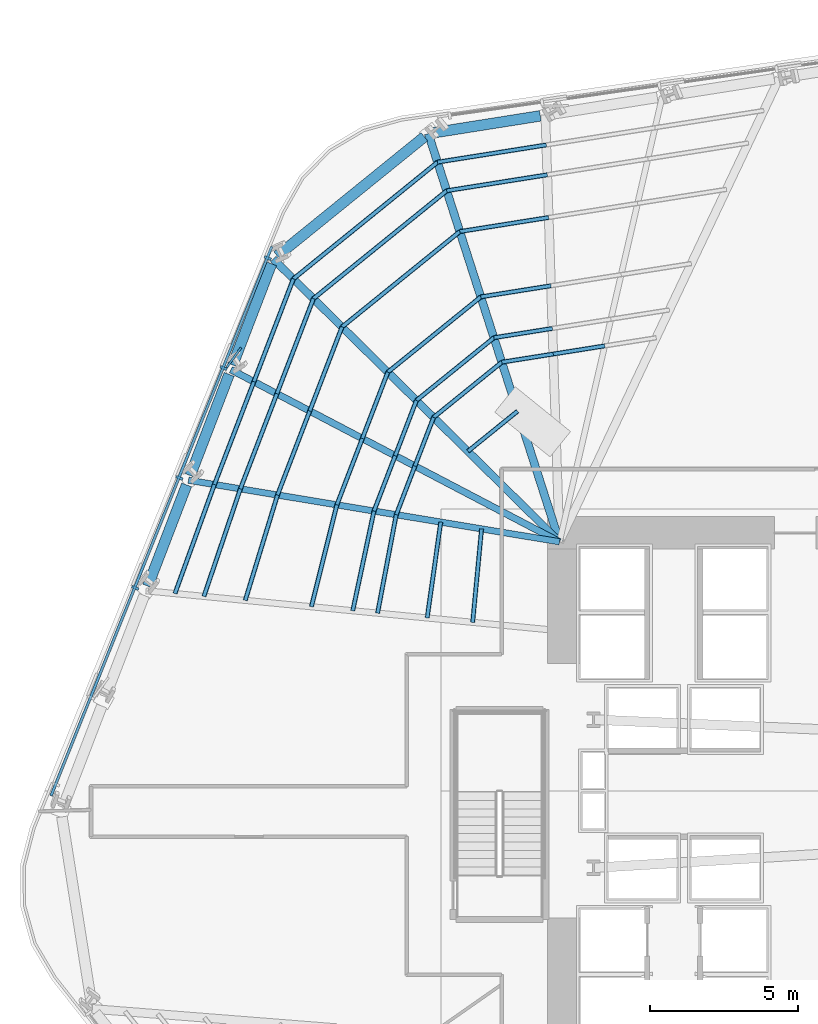
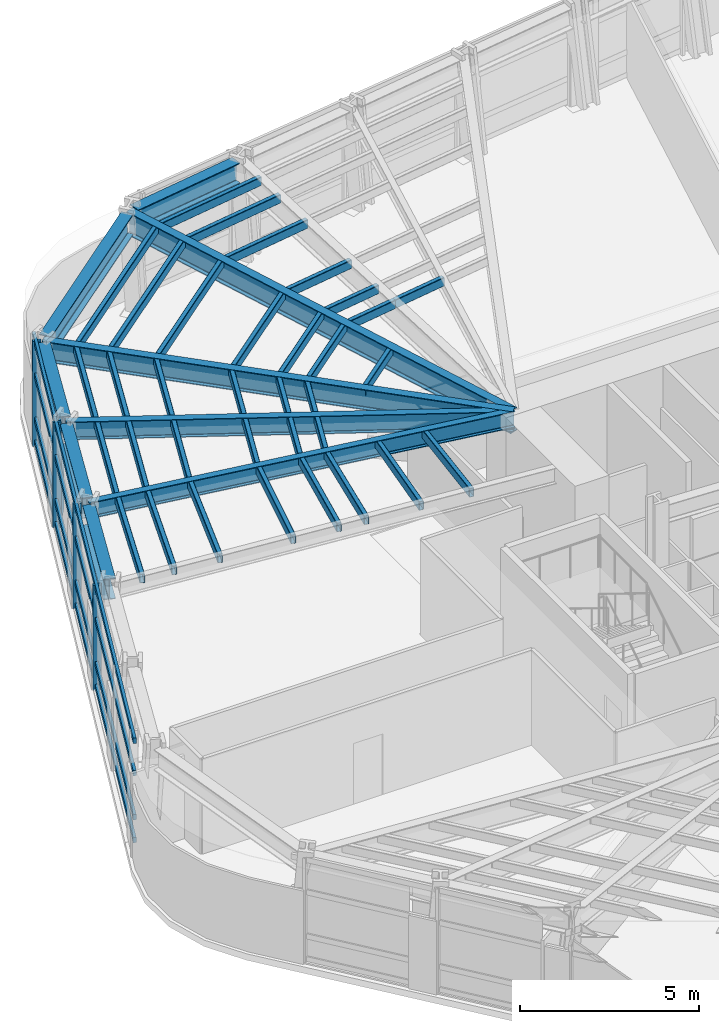
# One storey, part 5 of 16: 43 members, 9 beams, 1 element without a shape of its own.
"""IFC4 building model written with IfcOpenShell, lengths in metres."""

from ifc_helpers import new_model, si_unit, direction, frame, origin, origin_2d, place, context, subcontext, project, spatial, rectangle, hollow_rectangle, i_section, extrude, material, layer, layer_set, material_profile, profile_set, type_object, element, aggregate, save


model = new_model("IFC4")

# Units and contexts
model_context = context("Model", 3, precision=1e-05, world=origin(), true_north=direction((0.0, 1.0)))
body_context = subcontext(model_context, "Body", "Model", "MODEL_VIEW")
ifc_project = project(units=[si_unit("LENGTHUNIT", "METRE"), si_unit("AREAUNIT", "SQUARE_METRE"), si_unit("VOLUMEUNIT", "CUBIC_METRE"), si_unit("PLANEANGLEUNIT", "RADIAN"), si_unit("MASSUNIT", "GRAM", prefix="KILO")], contexts=[model_context])

# Site, building, storey
site_placement = place(None, origin())
site = spatial("IfcSite", under=ifc_project, at=site_placement, CompositionType="ELEMENT")
building_placement = place(site_placement, origin())
building = spatial("IfcBuilding", under=site, at=building_placement, Name="Valkerne Bourse Tower", CompositionType="ELEMENT")
storey_placement = place(building_placement, frame((0.0, 0.0, 58.199951171875)))
storey = spatial("IfcBuildingStorey", under=building, at=storey_placement, Name="L14", CompositionType="ELEMENT", Elevation=58.199951171875)

# Beams
ifc_material_1 = material(Name="Steel ASTM A992", Category="steel")
ifc_material_profile_1 = material_profile(ifc_material_1, i_section(OverallWidth=0.2138671875, OverallDepth=0.548583984375, WebThickness=0.0146484375, FlangeThickness=0.023681640625, FilletRadius=0.017822265625, at=origin_2d()), Name="W21X93")
ifc_profile_set_1 = profile_set([ifc_material_profile_1], Name="Steel ASTM A992")
beam_type_1 = type_object("IfcBeamType", Name="BM-W21X93", PredefinedType="BEAM", material=ifc_profile_set_1)
beam_1_placement = place(storey_placement, frame((25.080078125, 37.477783203125, 3.3056640625), z_axis=(0.986505995512, -0.163725138017, 0.0), x_axis=(0.163725138017, 0.986505995512, 0.0)))
element("IfcBeam", 1, at=beam_1_placement, inside=storey, type_object=beam_type_1, Name="L14 Radial Composite Floor Beam 14", PredefinedType="BEAM", context=body_context, shape_type="SweptSolid", body=[
    extrude(i_section(OverallWidth=0.2138671875, OverallDepth=0.548583984375, WebThickness=0.0146484375, FlangeThickness=0.023681640625, FilletRadius=0.017822265625, at=origin_2d()), origin(), (0.0, 0.0, 1.0), 12.691162109375),
])
ifc_material_profile_2 = material_profile(ifc_material_1, i_section(OverallWidth=0.228271484375, OverallDepth=0.607177734375, WebThickness=0.01123046875, FlangeThickness=0.017333984375, FilletRadius=0.017822265625, at=origin_2d()), Name="W24X76")
ifc_profile_set_2 = profile_set([ifc_material_profile_2], Name="Steel ASTM A992")
beam_type_2 = type_object("IfcBeamType", Name="BM-W24X76", PredefinedType="JOIST", material=ifc_profile_set_2)
beam_2_placement = place(storey_placement, frame((26.51220703125, 41.208251953125, 3.2763671875), z_axis=(0.885818173262, -0.464032503084, 0.0), x_axis=(0.464032503084, 0.885818173262, 0.0)))
element("IfcBeam", 2, at=beam_2_placement, inside=storey, type_object=beam_type_2, Name="L14 Radial Composite Floor Beam 13", PredefinedType="JOIST", context=body_context, shape_type="SweptSolid", body=[
    extrude(i_section(OverallWidth=0.228271484375, OverallDepth=0.607177734375, WebThickness=0.01123046875, FlangeThickness=0.017333984375, FilletRadius=0.017822265625, at=origin_2d()), origin(), (0.0, 0.0, 1.0), 12.51708984375),
])
ifc_material_profile_3 = material_profile(ifc_material_1, i_section(OverallWidth=0.255859375, OverallDepth=0.693359375, WebThickness=0.014404296875, FlangeThickness=0.023681640625, FilletRadius=0.02294921875, at=origin_2d()), Name="W27X114")
ifc_profile_set_3 = profile_set([ifc_material_profile_3], Name="Steel ASTM A992")
beam_type_3 = type_object("IfcBeamType", Name="BM-W27X114", PredefinedType="BEAM", material=ifc_profile_set_3)
beam_3_placement = place(storey_placement, frame((27.944091796875, 44.938720703125, 3.2333984375), z_axis=(0.711410524139, -0.702776682983, 0.0), x_axis=(0.702776682983, 0.711410524139, 0.0)))
element("IfcBeam", 3, at=beam_3_placement, inside=storey, type_object=beam_type_3, Name="L14 Radial Composite Floor Beam 12", PredefinedType="BEAM", context=body_context, shape_type="SweptSolid", body=[
    extrude(i_section(OverallWidth=0.255859375, OverallDepth=0.693359375, WebThickness=0.014404296875, FlangeThickness=0.023681640625, FilletRadius=0.02294921875, at=origin_2d()), origin(), (0.0, 0.0, 1.0), 13.572998046875),
])
ifc_material_profile_4 = material_profile(ifc_material_1, i_section(OverallWidth=0.358154296875, OverallDepth=0.7060546875, WebThickness=0.018310546875, FlangeThickness=0.0302734375, FilletRadius=0.02294921875, at=origin_2d()), Name="W27X178")
ifc_profile_set_4 = profile_set([ifc_material_profile_4], Name="Steel ASTM A992")
beam_type_4 = type_object("IfcBeamType", Name="BM-W27X178", PredefinedType="SPANDREL", material=ifc_profile_set_4)
beam_4_placement = place(storey_placement, frame((36.952392578125, 49.772216796875, 3.22705078125), z_axis=(-0.987684876333, -0.156456335964, 0.0), x_axis=(0.156456335964, -0.987684876333, 0.0)))
element("IfcBeam", 4, at=beam_4_placement, inside=storey, type_object=beam_type_4, Name="L14 Hexagonal Spandrel Ring Beam 10", PredefinedType="SPANDREL", context=body_context, shape_type="SweptSolid", body=[
    extrude(i_section(OverallWidth=0.358154296875, OverallDepth=0.7060546875, WebThickness=0.018310546875, FlangeThickness=0.0302734375, FilletRadius=0.02294921875, at=origin_2d()), origin(), (0.0, 0.0, 1.0), 3.656005859375),
])
beam_5_placement = place(storey_placement, frame((33.04150390625, 49.06640625, 3.22705078125), z_axis=(-0.777171894739, -0.629288364764, 0.0), x_axis=(0.629288364764, -0.777171894739, 0.0)))
element("IfcBeam", 5, at=beam_5_placement, inside=storey, type_object=beam_type_4, Name="L14 Hexagonal Spandrel Ring Beam 11", PredefinedType="SPANDREL", context=body_context, shape_type="SweptSolid", body=[
    extrude(i_section(OverallWidth=0.358154296875, OverallDepth=0.7060546875, WebThickness=0.018310546875, FlangeThickness=0.0302734375, FilletRadius=0.02294921875, at=origin_2d()), origin(), (0.0, 0.0, 1.0), 6.388916015625),
])
for number, where, z_axis, x_axis, name in (
    (6, (27.88330078125, 44.780029296875, 3.22705078125), (-0.358401752781, -0.933567449949, 0.0), (0.933567449949, -0.358401752781, 0.0), "L14 Hexagonal Spandrel Ring Beam 12"),
    (7, (26.451171875, 41.049560546875, 3.22705078125), (-0.358401752781, -0.933567449949, 0.0), (0.933567449949, -0.358401752781, 0.0), "L14 Hexagonal Spandrel Ring Beam 13"),
    (8, (25.01904296875, 37.319091796875, 3.22705078125), (-0.358321209948, -0.933598366805, 0.0), (0.933598366805, -0.358321209948, 0.0), "L14 Hexagonal Spandrel Ring Beam 14"),
):
    element("IfcBeam", number, at=place(storey_placement, frame(where, z_axis=z_axis, x_axis=x_axis)), inside=storey, type_object=beam_type_4, Name=name, PredefinedType="SPANDREL", context=body_context, shape_type="SweptSolid", body=[
        extrude(i_section(OverallWidth=0.358154296875, OverallDepth=0.7060546875, WebThickness=0.018310546875, FlangeThickness=0.0302734375, FilletRadius=0.02294921875, at=origin_2d()), origin(), (0.0, 0.0, 1.0), 3.656005859375),
    ])
ifc_material_profile_5 = material_profile(ifc_material_1, i_section(OverallWidth=0.26806640625, OverallDepth=0.76953125, WebThickness=0.015625, FlangeThickness=0.025390625, FilletRadius=0.025390625, at=origin_2d()), Name="W30X132")
ifc_profile_set_5 = profile_set([ifc_material_profile_5], Name="Steel ASTM A992")
beam_type_5 = type_object("IfcBeamType", Name="BM-W30X132", PredefinedType="BEAM", material=ifc_profile_set_5)
beam_6_placement = place(storey_placement, frame((33.173583984375, 49.173583984375, 3.1953125), z_axis=(0.305962749091, -0.95204348439, 0.0), x_axis=(0.95204348439, 0.305962749091, 0.0)))
element("IfcBeam", 9, at=beam_6_placement, inside=storey, type_object=beam_type_5, Name="L14 Radial Composite Floor Beam 11", PredefinedType="BEAM", context=body_context, shape_type="SweptSolid", body=[
    extrude(i_section(OverallWidth=0.26806640625, OverallDepth=0.76953125, WebThickness=0.015625, FlangeThickness=0.025390625, FilletRadius=0.025390625, at=origin_2d()), origin(), (0.0, 0.0, 1.0), 14.467529296875),
])

# Curtain wall, members
ifc_material_2 = material(Name="Aluminium AA 6063-T6", Category="aluminium")
ifc_layer = layer(ifc_material_2, 0.22509765625)
ifc_layer_set = layer_set([ifc_layer], Name="Aluminium AA 6063-T6")
curtain_wall_type = type_object("IfcCurtainWallType", Name="CW-01", PredefinedType="NOTDEFINED", material=ifc_layer_set)
curtain_wall_placement = place(storey_placement, origin())
curtain_wall = element("IfcCurtainWall", 10, at=curtain_wall_placement, inside=storey, type_object=curtain_wall_type, Name="L14 Hexagonal Stick Curtain Wall Face 3", PredefinedType="NOTDEFINED")
ifc_material_profile_6 = material_profile(ifc_material_2, rectangle(XDim=0.090087890625, YDim=0.239990234375, at=origin_2d()), Name="CWM-90X240")
ifc_profile_set_6 = profile_set([ifc_material_profile_6], Name="Aluminium AA 6063-T6")
member_type_1 = type_object("IfcMemberType", Name="CW-MUL-240X90", PredefinedType="MULLION", material=ifc_profile_set_6)
member_1_placement = place(storey_placement, frame((27.756103515625, 44.969970703125, 0.0), z_axis=(0.0, 0.0, 1.0), x_axis=(-0.372999492864, -0.927831546307, 0.0)))
member_1 = element("IfcMember", 11, at=member_1_placement, type_object=member_type_1, Name="CW-L14-F3 Jamb Mullion 00A", PredefinedType="MULLION", context=body_context, shape_type="SweptSolid", body=[
    extrude(rectangle(XDim=0.090087890625, YDim=0.239990234375, at=origin_2d()), origin(), (0.0, 0.0, 1.0), 3.580078125),
])
member_2_placement = place(storey_placement, frame((26.265625, 41.26220703125, 0.0), z_axis=(0.0, 0.0, 1.0), x_axis=(-0.372969288958, -0.927843688071, 0.0)))
member_2 = element("IfcMember", 12, at=member_2_placement, type_object=member_type_1, Name="CW-L14-F3 Jamb Mullion 01A", PredefinedType="MULLION", context=body_context, shape_type="SweptSolid", body=[
    extrude(rectangle(XDim=0.090087890625, YDim=0.239990234375, at=origin_2d()), origin(), (0.0, 0.0, 1.0), 3.580078125),
])
member_3_placement = place(storey_placement, frame((24.775146484375, 37.5546875, 0.0), z_axis=(0.0, 0.0, 1.0), x_axis=(-0.372999492864, -0.927831546307, 0.0)))
member_3 = element("IfcMember", 13, at=member_3_placement, type_object=member_type_1, Name="CW-L14-F3 Jamb Mullion 02A", PredefinedType="MULLION", context=body_context, shape_type="SweptSolid", body=[
    extrude(rectangle(XDim=0.090087890625, YDim=0.239990234375, at=origin_2d()), origin(), (0.0, 0.0, 1.0), 3.580078125),
])
member_4_placement = place(storey_placement, frame((23.28466796875, 33.846923828125, 0.0), z_axis=(0.0, 0.0, 1.0), x_axis=(-0.372977949163, -0.927840206845, 0.0)))
member_4 = element("IfcMember", 14, at=member_4_placement, type_object=member_type_1, Name="CW-L14-F3 Jamb Mullion 03A", PredefinedType="MULLION", context=body_context, shape_type="SweptSolid", body=[
    extrude(rectangle(XDim=0.090087890625, YDim=0.239990234375, at=origin_2d()), origin(), (0.0, 0.0, 1.0), 3.580078125),
])
ifc_material_profile_7 = material_profile(ifc_material_2, rectangle(XDim=0.090087890625, YDim=0.179931640625, at=origin_2d()), Name="CWT-90X180")
ifc_profile_set_7 = profile_set([ifc_material_profile_7], Name="Aluminium AA 6063-T6")
member_type_2 = type_object("IfcMemberType", Name="CW-TRN-180X90", PredefinedType="USERDEFINED", material=ifc_profile_set_7)
member_5_placement = place(storey_placement, frame((27.894287109375, 45.3671875, 0.1201171875), z_axis=(-0.372989147094, -0.927835705365, 0.0), x_axis=(0.927835705365, -0.372989147094, 0.0)))
member_5 = element("IfcMember", 15, at=member_5_placement, type_object=member_type_2, Name="CW-L14-F3 Continuous Face Transom 1", ObjectType="TRANSOM", PredefinedType="USERDEFINED", context=body_context, shape_type="SweptSolid", body=[
    extrude(rectangle(XDim=0.090087890625, YDim=0.179931640625, at=origin_2d()), origin(), (0.0, 0.0, 1.0), 19.980224609375),
])
member_6_placement = place(storey_placement, frame((27.894287109375, 45.3671875, 0.900146484375), z_axis=(-0.372989147094, -0.927835705365, 0.0), x_axis=(0.927835705365, -0.372989147094, 0.0)))
member_6 = element("IfcMember", 16, at=member_6_placement, type_object=member_type_2, Name="CW-L14-F3 Continuous Face Transom 2", ObjectType="TRANSOM", PredefinedType="USERDEFINED", context=body_context, shape_type="SweptSolid", body=[
    extrude(rectangle(XDim=0.090087890625, YDim=0.179931640625, at=origin_2d()), origin(), (0.0, 0.0, 1.0), 19.980224609375),
])
member_7_placement = place(storey_placement, frame((27.894287109375, 45.3671875, 2.400146484375), z_axis=(-0.372989147094, -0.927835705365, 0.0), x_axis=(0.927835705365, -0.372989147094, 0.0)))
member_7 = element("IfcMember", 17, at=member_7_placement, type_object=member_type_2, Name="CW-L14-F3 Continuous Face Transom 3", ObjectType="TRANSOM", PredefinedType="USERDEFINED", context=body_context, shape_type="SweptSolid", body=[
    extrude(rectangle(XDim=0.090087890625, YDim=0.179931640625, at=origin_2d()), origin(), (0.0, 0.0, 1.0), 19.980224609375),
])
member_8_placement = place(storey_placement, frame((27.894287109375, 45.3671875, 3.5), z_axis=(-0.372989147094, -0.927835705365, 0.0), x_axis=(0.927835705365, -0.372989147094, 0.0)))
member_8 = element("IfcMember", 18, at=member_8_placement, type_object=member_type_2, Name="CW-L14-F3 Continuous Face Transom 4", ObjectType="TRANSOM", PredefinedType="USERDEFINED", context=body_context, shape_type="SweptSolid", body=[
    extrude(rectangle(XDim=0.090087890625, YDim=0.179931640625, at=origin_2d()), origin(), (0.0, 0.0, 1.0), 19.980224609375),
])
aggregate(curtain_wall, [member_5, member_6, member_7, member_8, member_1, member_2, member_3, member_4])

# Members
ifc_material_3 = material(Name="Bronze Anodised Aluminium AA 6063-T6", Category="aluminium")
ifc_material_profile_8 = material_profile(ifc_material_3, rectangle(XDim=0.070068359375, YDim=0.89990234375, at=origin_2d()), Name="FIN-70X900")
ifc_profile_set_8 = profile_set([ifc_material_profile_8], Name="Bronze Anodised Aluminium AA 6063-T6")
member_type_3 = type_object("IfcMemberType", Name="FIN-SOLAR-900", PredefinedType="USERDEFINED", material=ifc_profile_set_8)
member_9_placement = place(storey_placement, frame((26.589111328125, 41.5849609375, 0.004150390625), z_axis=(0.0, 0.0, 1.0), x_axis=(-0.810070957949, 0.586331854062, 0.0)))
element("IfcMember", 19, at=member_9_placement, inside=storey, type_object=member_type_3, Name="L14 Bronze Anodised Solar Fin F3-01", ObjectType="SOLAR_FIN", PredefinedType="USERDEFINED", context=body_context, shape_type="SweptSolid", body=[
    extrude(rectangle(XDim=0.070068359375, YDim=0.89990234375, at=origin_2d()), origin(), (0.0, 0.0, 1.0), 3.57177734375),
])
ifc_material_4 = material(Name="Steel ASTM A500 Grade C", Category="steel")
ifc_material_profile_9 = material_profile(ifc_material_4, hollow_rectangle(XDim=0.14990234375, YDim=0.300048828125, WallThickness=0.012451171875, OuterFilletRadius=0.02490234375, at=origin_2d()), Name="HSS300X150X12.5")
ifc_profile_set_9 = profile_set([ifc_material_profile_9], Name="Steel ASTM A500 Grade C")
member_type_4 = type_object("IfcMemberType", Name="MBR-HSS300X150X12.5", PredefinedType="PURLIN", material=ifc_profile_set_9)
member_10_placement = place(storey_placement, frame((36.18359375, 39.8076171875, 3.420166015625), z_axis=(-0.777149817589, -0.629315629094, 0.0), x_axis=(0.629315629094, -0.777149817589, 0.0)))
element("IfcMember", 20, at=member_10_placement, inside=storey, type_object=member_type_4, Name="L14 Secondary Composite Floor Purlin I-11", PredefinedType="PURLIN", context=body_context, shape_type="SweptSolid", body=[
    extrude(hollow_rectangle(XDim=0.14990234375, YDim=0.300048828125, WallThickness=0.012451171875, OuterFilletRadius=0.02490234375, at=origin_2d()), origin(), (0.0, 0.0, 1.0), 2.153564453125),
])
member_11_placement = place(storey_placement, frame((33.593505859375, 36.06494140625, 3.420166015625), z_axis=(-0.140228266799, -0.990119201506, 0.0), x_axis=(0.990119201506, -0.140228266799, 0.0)))
element("IfcMember", 21, at=member_11_placement, inside=storey, type_object=member_type_4, Name="L14 Secondary Composite Floor Purlin I-14", PredefinedType="PURLIN", context=body_context, shape_type="SweptSolid", body=[
    extrude(hollow_rectangle(XDim=0.14990234375, YDim=0.300048828125, WallThickness=0.012451171875, OuterFilletRadius=0.02490234375, at=origin_2d()), origin(), (0.0, 0.0, 1.0), 3.26611328125),
])
for number, where, z_axis, x_axis, name in (
    (22, (39.12548828125, 42.010498046875, 3.420166015625), (-0.987679511068, -0.156490202302, 0.0), (0.156490202302, -0.987679511068, 0.0), "L14 Secondary Composite Floor Purlin K-09"),
    (23, (37.388916015625, 41.7353515625, 3.420166015625), (-0.987679511068, -0.156490202302, 0.0), (0.156490202302, -0.987679511068, 0.0), "L14 Secondary Composite Floor Purlin K-10"),
):
    element("IfcMember", number, at=place(storey_placement, frame(where, z_axis=z_axis, x_axis=x_axis)), inside=storey, type_object=member_type_4, Name=name, PredefinedType="PURLIN", context=body_context, shape_type="SweptSolid", body=[
        extrude(hollow_rectangle(XDim=0.14990234375, YDim=0.300048828125, WallThickness=0.012451171875, OuterFilletRadius=0.02490234375, at=origin_2d()), origin(), (0.0, 0.0, 1.0), 1.75830078125),
    ])
member_12_placement = place(storey_placement, frame((35.65234375, 41.460205078125, 3.420166015625), z_axis=(-0.777194939818, -0.629259902998, 0.0), x_axis=(0.629259902998, -0.777194939818, 0.0)))
element("IfcMember", 24, at=member_12_placement, inside=storey, type_object=member_type_4, Name="L14 Secondary Composite Floor Purlin K-11", PredefinedType="PURLIN", context=body_context, shape_type="SweptSolid", body=[
    extrude(hollow_rectangle(XDim=0.14990234375, YDim=0.300048828125, WallThickness=0.012451171875, OuterFilletRadius=0.02490234375, at=origin_2d()), origin(), (0.0, 0.0, 1.0), 2.960693359375),
])
member_13_placement = place(storey_placement, frame((33.351318359375, 39.59716796875, 3.420166015625), z_axis=(-0.358402090403, -0.933567320333, 0.0), x_axis=(0.933567320333, -0.358402090403, 0.0)))
element("IfcMember", 25, at=member_13_placement, inside=storey, type_object=member_type_4, Name="L14 Secondary Composite Floor Purlin K-12", PredefinedType="PURLIN", context=body_context, shape_type="SweptSolid", body=[
    extrude(hollow_rectangle(XDim=0.14990234375, YDim=0.300048828125, WallThickness=0.012451171875, OuterFilletRadius=0.02490234375, at=origin_2d()), origin(), (0.0, 0.0, 1.0), 1.758056640625),
])
member_14_placement = place(storey_placement, frame((32.72119140625, 37.955810546875, 3.420166015625), z_axis=(-0.358234611286, -0.933631599335, 0.0), x_axis=(0.933631599335, -0.358234611286, 0.0)))
element("IfcMember", 26, at=member_14_placement, inside=storey, type_object=member_type_4, Name="L14 Secondary Composite Floor Purlin K-13", PredefinedType="PURLIN", context=body_context, shape_type="SweptSolid", body=[
    extrude(hollow_rectangle(XDim=0.14990234375, YDim=0.300048828125, WallThickness=0.012451171875, OuterFilletRadius=0.02490234375, at=origin_2d()), origin(), (0.0, 0.0, 1.0), 1.75830078125),
])
member_15_placement = place(storey_placement, frame((32.09130859375, 36.314208984375, 3.420166015625), z_axis=(-0.186385330295, -0.982476721684, 0.0), x_axis=(0.982476721684, -0.186385330295, 0.0)))
element("IfcMember", 27, at=member_15_placement, inside=storey, type_object=member_type_4, Name="L14 Secondary Composite Floor Purlin K-14", PredefinedType="PURLIN", context=body_context, shape_type="SweptSolid", body=[
    extrude(hollow_rectangle(XDim=0.14990234375, YDim=0.300048828125, WallThickness=0.012451171875, OuterFilletRadius=0.02490234375, at=origin_2d()), origin(), (0.0, 0.0, 1.0), 3.380859375),
])
member_16_placement = place(storey_placement, frame((37.360107421875, 42.599365234375, 3.420166015625), z_axis=(-0.987673637151, -0.156527270715, 0.0), x_axis=(0.156527270715, -0.987673637151, 0.0)))
element("IfcMember", 28, at=member_16_placement, inside=storey, type_object=member_type_4, Name="L14 Secondary Composite Floor Purlin M-10", PredefinedType="PURLIN", context=body_context, shape_type="SweptSolid", body=[
    extrude(hollow_rectangle(XDim=0.14990234375, YDim=0.300048828125, WallThickness=0.012451171875, OuterFilletRadius=0.02490234375, at=origin_2d()), origin(), (0.0, 0.0, 1.0), 1.998046875),
])
member_17_placement = place(storey_placement, frame((35.38671875, 42.28662109375, 3.420166015625), z_axis=(-0.777145152652, -0.62932138984, 0.0), x_axis=(0.62932138984, -0.777145152652, 0.0)))
element("IfcMember", 29, at=member_17_placement, inside=storey, type_object=member_type_4, Name="L14 Secondary Composite Floor Purlin M-11", PredefinedType="PURLIN", context=body_context, shape_type="SweptSolid", body=[
    extrude(hollow_rectangle(XDim=0.14990234375, YDim=0.300048828125, WallThickness=0.012451171875, OuterFilletRadius=0.02490234375, at=origin_2d()), origin(), (0.0, 0.0, 1.0), 3.3642578125),
])
member_18_placement = place(storey_placement, frame((32.772216796875, 40.16943359375, 3.420166015625), z_axis=(-0.358504131198, -0.933528139862, 0.0), x_axis=(0.933528139862, -0.358504131198, 0.0)))
element("IfcMember", 30, at=member_18_placement, inside=storey, type_object=member_type_4, Name="L14 Secondary Composite Floor Purlin M-12", PredefinedType="PURLIN", context=body_context, shape_type="SweptSolid", body=[
    extrude(hollow_rectangle(XDim=0.14990234375, YDim=0.300048828125, WallThickness=0.012451171875, OuterFilletRadius=0.02490234375, at=origin_2d()), origin(), (0.0, 0.0, 1.0), 1.998046875),
])
member_19_placement = place(storey_placement, frame((32.055908203125, 38.30419921875, 3.420166015625), z_axis=(-0.358291132993, -0.933609909983, 0.0), x_axis=(0.933609909983, -0.358291132993, 0.0)))
element("IfcMember", 31, at=member_19_placement, inside=storey, type_object=member_type_4, Name="L14 Secondary Composite Floor Purlin M-13", PredefinedType="PURLIN", context=body_context, shape_type="SweptSolid", body=[
    extrude(hollow_rectangle(XDim=0.14990234375, YDim=0.300048828125, WallThickness=0.012451171875, OuterFilletRadius=0.02490234375, at=origin_2d()), origin(), (0.0, 0.0, 1.0), 1.997802734375),
])
member_20_placement = place(storey_placement, frame((31.340087890625, 36.43896484375, 3.420166015625), z_axis=(-0.20810908875, -0.978105621689, 0.0), x_axis=(0.978105621689, -0.20810908875, 0.0)))
element("IfcMember", 32, at=member_20_placement, inside=storey, type_object=member_type_4, Name="L14 Secondary Composite Floor Purlin M-14", PredefinedType="PURLIN", context=body_context, shape_type="SweptSolid", body=[
    extrude(hollow_rectangle(XDim=0.14990234375, YDim=0.300048828125, WallThickness=0.012451171875, OuterFilletRadius=0.02490234375, at=origin_2d()), origin(), (0.0, 0.0, 1.0), 3.44091796875),
])
member_21_placement = place(storey_placement, frame((37.2353515625, 46.343017578125, 3.420166015625), z_axis=(-0.987687237994, -0.156441426431, 0.0), x_axis=(0.156441426431, -0.987687237994, 0.0)))
element("IfcMember", 33, at=member_21_placement, inside=storey, type_object=member_type_4, Name="L14 Secondary Composite Floor Purlin O-10", PredefinedType="PURLIN", context=body_context, shape_type="SweptSolid", body=[
    extrude(hollow_rectangle(XDim=0.14990234375, YDim=0.300048828125, WallThickness=0.012451171875, OuterFilletRadius=0.02490234375, at=origin_2d()), origin(), (0.0, 0.0, 1.0), 3.036865234375),
])
member_22_placement = place(storey_placement, frame((34.23583984375, 45.867919921875, 3.420166015625), z_axis=(-0.77713368692, -0.629335548539, 0.0), x_axis=(0.629335548539, -0.77713368692, 0.0)))
element("IfcMember", 34, at=member_22_placement, inside=storey, type_object=member_type_4, Name="L14 Secondary Composite Floor Purlin O-11", PredefinedType="PURLIN", context=body_context, shape_type="SweptSolid", body=[
    extrude(hollow_rectangle(XDim=0.14990234375, YDim=0.300048828125, WallThickness=0.012451171875, OuterFilletRadius=0.02490234375, at=origin_2d()), origin(), (0.0, 0.0, 1.0), 5.114013671875),
])
for number, where, z_axis, x_axis, name in (
    (35, (30.261474609375, 42.6494140625, 3.420166015625), (-0.358381049163, -0.93357539792, 0.0), (0.93357539792, -0.358381049163, 0.0), "L14 Secondary Composite Floor Purlin O-12"),
    (36, (29.173095703125, 39.814208984375, 3.420166015625), (-0.358381049163, -0.93357539792, 0.0), (0.93357539792, -0.358381049163, 0.0), "L14 Secondary Composite Floor Purlin O-13"),
):
    element("IfcMember", number, at=place(storey_placement, frame(where, z_axis=z_axis, x_axis=x_axis)), inside=storey, type_object=member_type_4, Name=name, PredefinedType="PURLIN", context=body_context, shape_type="SweptSolid", body=[
        extrude(hollow_rectangle(XDim=0.14990234375, YDim=0.300048828125, WallThickness=0.012451171875, OuterFilletRadius=0.02490234375, at=origin_2d()), origin(), (0.0, 0.0, 1.0), 3.036865234375),
    ])
member_23_placement = place(storey_placement, frame((28.084716796875, 36.97900390625, 3.420166015625), z_axis=(-0.292668936404, -0.956213832604, 0.0), x_axis=(0.956213832604, -0.292668936404, 0.0)))
element("IfcMember", 37, at=member_23_placement, inside=storey, type_object=member_type_4, Name="L14 Secondary Composite Floor Purlin O-14", PredefinedType="PURLIN", context=body_context, shape_type="SweptSolid", body=[
    extrude(hollow_rectangle(XDim=0.14990234375, YDim=0.300048828125, WallThickness=0.012451171875, OuterFilletRadius=0.02490234375, at=origin_2d()), origin(), (0.0, 0.0, 1.0), 3.718017578125),
])
member_24_placement = place(storey_placement, frame((37.312255859375, 44.039306640625, 3.420166015625), z_axis=(-0.987677783003, -0.156501108503, 0.0), x_axis=(0.156501108503, -0.987677783003, 0.0)))
element("IfcMember", 38, at=member_24_placement, inside=storey, type_object=member_type_4, Name="L14 Secondary Composite Floor Purlin Z-10", PredefinedType="PURLIN", context=body_context, shape_type="SweptSolid", body=[
    extrude(hollow_rectangle(XDim=0.14990234375, YDim=0.300048828125, WallThickness=0.012451171875, OuterFilletRadius=0.02490234375, at=origin_2d()), origin(), (0.0, 0.0, 1.0), 2.397705078125),
])
member_25_placement = place(storey_placement, frame((34.944091796875, 43.6640625, 3.420166015625), z_axis=(-0.777156146526, -0.629307813329, 0.0), x_axis=(0.629307813329, -0.777156146526, 0.0)))
element("IfcMember", 39, at=member_25_placement, inside=storey, type_object=member_type_4, Name="L14 Secondary Composite Floor Purlin Z-11", PredefinedType="PURLIN", context=body_context, shape_type="SweptSolid", body=[
    extrude(hollow_rectangle(XDim=0.14990234375, YDim=0.300048828125, WallThickness=0.012451171875, OuterFilletRadius=0.02490234375, at=origin_2d()), origin(), (0.0, 0.0, 1.0), 4.037353515625),
])
member_26_placement = place(storey_placement, frame((31.806396484375, 41.123291015625, 3.420166015625), z_axis=(-0.358344387792, -0.933589470666, 0.0), x_axis=(0.933589470666, -0.358344387792, 0.0)))
element("IfcMember", 40, at=member_26_placement, inside=storey, type_object=member_type_4, Name="L14 Secondary Composite Floor Purlin Z-12", PredefinedType="PURLIN", context=body_context, shape_type="SweptSolid", body=[
    extrude(hollow_rectangle(XDim=0.14990234375, YDim=0.300048828125, WallThickness=0.012451171875, OuterFilletRadius=0.02490234375, at=origin_2d()), origin(), (0.0, 0.0, 1.0), 2.3974609375),
])
member_27_placement = place(storey_placement, frame((30.947265625, 38.885009765625, 3.420166015625), z_axis=(-0.358399067751, -0.933568480742, 0.0), x_axis=(0.933568480742, -0.358399067751, 0.0)))
element("IfcMember", 41, at=member_27_placement, inside=storey, type_object=member_type_4, Name="L14 Secondary Composite Floor Purlin Z-13", PredefinedType="PURLIN", context=body_context, shape_type="SweptSolid", body=[
    extrude(hollow_rectangle(XDim=0.14990234375, YDim=0.300048828125, WallThickness=0.012451171875, OuterFilletRadius=0.02490234375, at=origin_2d()), origin(), (0.0, 0.0, 1.0), 2.397705078125),
])
member_28_placement = place(storey_placement, frame((30.087890625, 36.646484375, 3.420166015625), z_axis=(-0.242422158315, -0.970170859776, 0.0), x_axis=(0.970170859776, -0.242422158315, 0.0)))
element("IfcMember", 42, at=member_28_placement, inside=storey, type_object=member_type_4, Name="L14 Secondary Composite Floor Purlin Z-14", PredefinedType="PURLIN", context=body_context, shape_type="SweptSolid", body=[
    extrude(hollow_rectangle(XDim=0.14990234375, YDim=0.300048828125, WallThickness=0.012451171875, OuterFilletRadius=0.02490234375, at=origin_2d()), origin(), (0.0, 0.0, 1.0), 3.5439453125),
])
member_29_placement = place(storey_placement, frame((34.970703125, 35.836181640625, 3.420166015625), z_axis=(-0.094878199276, -0.995488888588, 0.0), x_axis=(0.995488888588, -0.094878199276, 0.0)))
element("IfcMember", 43, at=member_29_placement, inside=storey, type_object=member_type_4, Name="L14 Secondary Composite Floor Purlin S-14", PredefinedType="PURLIN", context=body_context, shape_type="SweptSolid", body=[
    extrude(hollow_rectangle(XDim=0.14990234375, YDim=0.300048828125, WallThickness=0.012451171875, OuterFilletRadius=0.02490234375, at=origin_2d()), origin(), (0.0, 0.0, 1.0), 3.167724609375),
])
member_30_placement = place(storey_placement, frame((37.1875, 47.782958984375, 3.420166015625), z_axis=(-0.987677569043, -0.156502458793, 0.0), x_axis=(0.156502458793, -0.987677569043, 0.0)))
element("IfcMember", 44, at=member_30_placement, inside=storey, type_object=member_type_4, Name="L14 Secondary Composite Floor Purlin T-10", PredefinedType="PURLIN", context=body_context, shape_type="SweptSolid", body=[
    extrude(hollow_rectangle(XDim=0.14990234375, YDim=0.300048828125, WallThickness=0.012451171875, OuterFilletRadius=0.02490234375, at=origin_2d()), origin(), (0.0, 0.0, 1.0), 3.4365234375),
])
member_31_placement = place(storey_placement, frame((33.793212890625, 47.2451171875, 3.420166015625), z_axis=(-0.777167248225, -0.629294103172, 0.0), x_axis=(0.629294103172, -0.777167248225, 0.0)))
element("IfcMember", 45, at=member_31_placement, inside=storey, type_object=member_type_4, Name="L14 Secondary Composite Floor Purlin T-11", PredefinedType="PURLIN", context=body_context, shape_type="SweptSolid", body=[
    extrude(hollow_rectangle(XDim=0.14990234375, YDim=0.300048828125, WallThickness=0.012451171875, OuterFilletRadius=0.02490234375, at=origin_2d()), origin(), (0.0, 0.0, 1.0), 5.786865234375),
])
member_32_placement = place(storey_placement, frame((29.2958984375, 43.603515625, 3.420166015625), z_axis=(-0.358322060266, -0.933598040447, 0.0), x_axis=(0.933598040447, -0.358322060266, 0.0)))
element("IfcMember", 46, at=member_32_placement, inside=storey, type_object=member_type_4, Name="L14 Secondary Composite Floor Purlin T-12", PredefinedType="PURLIN", context=body_context, shape_type="SweptSolid", body=[
    extrude(hollow_rectangle(XDim=0.14990234375, YDim=0.300048828125, WallThickness=0.012451171875, OuterFilletRadius=0.02490234375, at=origin_2d()), origin(), (0.0, 0.0, 1.0), 3.436767578125),
])
member_33_placement = place(storey_placement, frame((28.064453125, 40.39501953125, 3.420166015625), z_axis=(-0.358407745138, -0.933565149427, 0.0), x_axis=(0.933565149427, -0.358407745138, 0.0)))
element("IfcMember", 47, at=member_33_placement, inside=storey, type_object=member_type_4, Name="L14 Secondary Composite Floor Purlin T-13", PredefinedType="PURLIN", context=body_context, shape_type="SweptSolid", body=[
    extrude(hollow_rectangle(XDim=0.14990234375, YDim=0.300048828125, WallThickness=0.012451171875, OuterFilletRadius=0.02490234375, at=origin_2d()), origin(), (0.0, 0.0, 1.0), 3.4365234375),
])
member_34_placement = place(storey_placement, frame((26.832763671875, 37.186767578125, 3.420166015625), z_axis=(-0.321403484064, -0.946942342718, 0.0), x_axis=(0.946942342718, -0.321403484064, 0.0)))
element("IfcMember", 48, at=member_34_placement, inside=storey, type_object=member_type_4, Name="L14 Secondary Composite Floor Purlin T-14", PredefinedType="PURLIN", context=body_context, shape_type="SweptSolid", body=[
    extrude(hollow_rectangle(XDim=0.14990234375, YDim=0.300048828125, WallThickness=0.012451171875, OuterFilletRadius=0.02490234375, at=origin_2d()), origin(), (0.0, 0.0, 1.0), 3.83154296875),
])
member_35_placement = place(storey_placement, frame((37.15380859375, 48.790771484375, 3.420166015625), z_axis=(-0.987689880172, -0.156424744226, 0.0), x_axis=(0.156424744226, -0.987689880172, 0.0)))
element("IfcMember", 49, at=member_35_placement, inside=storey, type_object=member_type_4, Name="L14 Secondary Composite Floor Purlin U-10", PredefinedType="PURLIN", context=body_context, shape_type="SweptSolid", body=[
    extrude(hollow_rectangle(XDim=0.14990234375, YDim=0.300048828125, WallThickness=0.012451171875, OuterFilletRadius=0.02490234375, at=origin_2d()), origin(), (0.0, 0.0, 1.0), 3.716064453125),
])
member_36_placement = place(storey_placement, frame((33.4833984375, 48.20947265625, 3.420166015625), z_axis=(-0.777124933861, -0.629346357081, 0.0), x_axis=(0.629346357081, -0.777124933861, 0.0)))
element("IfcMember", 50, at=member_36_placement, inside=storey, type_object=member_type_4, Name="L14 Secondary Composite Floor Purlin U-11", PredefinedType="PURLIN", context=body_context, shape_type="SweptSolid", body=[
    extrude(hollow_rectangle(XDim=0.14990234375, YDim=0.300048828125, WallThickness=0.012451171875, OuterFilletRadius=0.02490234375, at=origin_2d()), origin(), (0.0, 0.0, 1.0), 6.258056640625),
])
member_37_placement = place(storey_placement, frame((28.6201171875, 44.27099609375, 3.420166015625), z_axis=(-0.358384673228, -0.933574006705, 0.0), x_axis=(0.933574006705, -0.358384673228, 0.0)))
element("IfcMember", 51, at=member_37_placement, inside=storey, type_object=member_type_4, Name="L14 Secondary Composite Floor Purlin U-12", PredefinedType="PURLIN", context=body_context, shape_type="SweptSolid", body=[
    extrude(hollow_rectangle(XDim=0.14990234375, YDim=0.300048828125, WallThickness=0.012451171875, OuterFilletRadius=0.02490234375, at=origin_2d()), origin(), (0.0, 0.0, 1.0), 3.716064453125),
])
member_38_placement = place(storey_placement, frame((27.288330078125, 40.8017578125, 3.420166015625), z_axis=(-0.358419948814, -0.933560464186, 0.0), x_axis=(0.933560464186, -0.358419948814, 0.0)))
element("IfcMember", 52, at=member_38_placement, inside=storey, type_object=member_type_4, Name="L14 Secondary Composite Floor Purlin U-13", PredefinedType="PURLIN", context=body_context, shape_type="SweptSolid", body=[
    extrude(hollow_rectangle(XDim=0.14990234375, YDim=0.300048828125, WallThickness=0.012451171875, OuterFilletRadius=0.02490234375, at=origin_2d()), origin(), (0.0, 0.0, 1.0), 3.71630859375),
])
member_39_placement = place(storey_placement, frame((25.956298828125, 37.332275390625, 3.420166015625), z_axis=(-0.340345026965, -0.940300623535, 0.0), x_axis=(0.940300623535, -0.340345026965, 0.0)))
element("IfcMember", 53, at=member_39_placement, inside=storey, type_object=member_type_4, Name="L14 Secondary Composite Floor Purlin U-14", PredefinedType="PURLIN", context=body_context, shape_type="SweptSolid", body=[
    extrude(hollow_rectangle(XDim=0.14990234375, YDim=0.300048828125, WallThickness=0.012451171875, OuterFilletRadius=0.02490234375, at=origin_2d()), origin(), (0.0, 0.0, 1.0), 3.9130859375),
])

save(model, "model.ifc")
